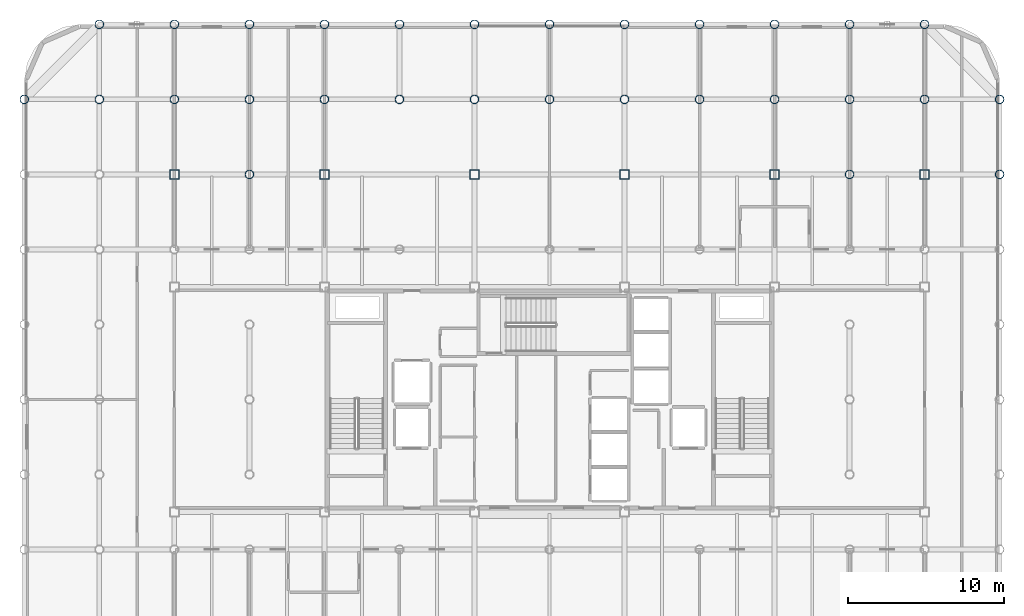
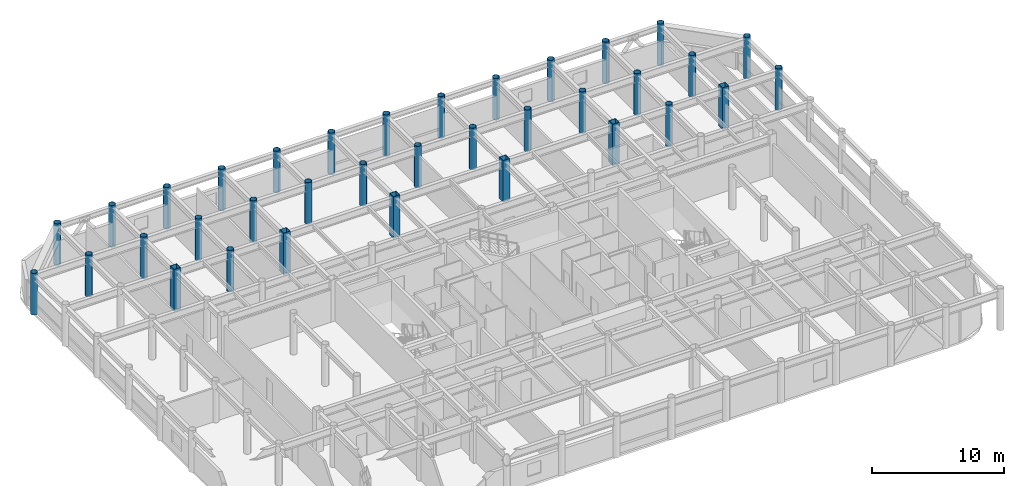
# One storey, part 2 of 22: 35 columns.
"""IFC4 building model written with IfcOpenShell, lengths in metres."""

from ifc_helpers import new_model, si_unit, direction, frame, origin, origin_2d, place, context, subcontext, project, spatial, hollow_rectangle, hollow_circle, extrude, material, material_profile, profile_set, type_object, element, save


model = new_model("IFC4")

# Units and contexts
model_context = context("Model", 3, precision=1e-05, world=origin(), true_north=direction((0.0, 1.0)))
body_context = subcontext(model_context, "Body", "Model", "MODEL_VIEW")
ifc_project = project(units=[si_unit("LENGTHUNIT", "METRE"), si_unit("AREAUNIT", "SQUARE_METRE"), si_unit("VOLUMEUNIT", "CUBIC_METRE"), si_unit("PLANEANGLEUNIT", "RADIAN"), si_unit("MASSUNIT", "GRAM", prefix="KILO")], contexts=[model_context])

# Site, building, storey
site_placement = place(None, origin())
site = spatial("IfcSite", under=ifc_project, at=site_placement, CompositionType="ELEMENT")
building_placement = place(site_placement, origin())
building = spatial("IfcBuilding", under=site, at=building_placement, Name="Kallvorn Hotel Tower", CompositionType="ELEMENT")
storey_placement = place(building_placement, frame((0.0, 0.0, 260.800048828125)))
storey = spatial("IfcBuildingStorey", under=building, at=storey_placement, Name="L65", CompositionType="ELEMENT", Elevation=260.800048828125)

# Columns
ifc_material_1 = material(Name="Structural steel S355J2H", Category="steel")
ifc_material_profile_1 = material_profile(ifc_material_1, hollow_circle(Radius=0.279541015625, WallThickness=0.02490234375, at=origin_2d()), Name="CHS 559x25")
ifc_profile_set_1 = profile_set([ifc_material_profile_1], Name="Structural steel S355J2H")
column_type_1 = type_object("IfcColumnType", Name="COL_CHS_559", PredefinedType="COLUMN", material=ifc_profile_set_1)
for number, where, z_axis, x_axis, name in (
    (1, (-33.60009765625, 19.199951171875, 0.0), (0.0, 0.0, 1.0), (1.0, 0.0, 0.0), "L65 Exoskeleton Column EC08"),
    (2, (-28.800048828125, 19.199951171875, 0.0), (0.0, 0.0, 1.0), (1.0, 0.0, 0.0), "L65 Exoskeleton Column EC17"),
    (3, (-28.800048828125, 24.0, 0.0), (0.0, 0.0, 1.0), (1.0, 0.0, 0.0), "L65 Exoskeleton Column EC18"),
    (4, (-24.0, 19.199951171875, 0.0), (0.0, 0.0, 1.0), (1.0, 0.0, 0.0), "L65 Exoskeleton Column EC22"),
    (5, (-24.0, 24.0, 0.0), (0.0, 0.0, 1.0), (1.0, 0.0, 0.0), "L65 Exoskeleton Column EC23"),
    (6, (-19.199951171875, 14.39990234375, 0.0), (0.0, 0.0, 1.0), (1.0, 0.0, 0.0), "L65 Exoskeleton Column EC31"),
    (7, (-19.199951171875, 19.199951171875, 0.0), (0.0, 0.0, 1.0), (1.0, 0.0, 0.0), "L65 Exoskeleton Column EC32"),
    (8, (-19.199951171875, 24.0, 0.0), (0.0, 0.0, 1.0), (1.0, 0.0, 0.0), "L65 Exoskeleton Column EC33"),
    (9, (-14.39990234375, 19.199951171875, 0.0), (0.0, 0.0, 1.0), (1.0, 0.0, 0.0), "L65 Exoskeleton Column EC35"),
    (10, (-14.39990234375, 24.0, 0.0), (0.0, 0.0, 1.0), (1.0, 0.0, 0.0), "L65 Exoskeleton Column EC36"),
    (11, (-9.60009765625, 19.199951171875, 0.0), (0.0, 0.0, 1.0), (1.0, 0.0, 0.0), "L65 Exoskeleton Column EC40"),
    (12, (-9.60009765625, 24.0, 0.0), (0.0, 0.0, 1.0), (1.0, 0.0, 0.0), "L65 Exoskeleton Column EC41"),
    (13, (-4.800048828125, 19.199951171875, 0.0), (0.0, 0.0, 1.0), (1.0, 0.0, 0.0), "L65 Exoskeleton Column EC43"),
    (14, (-4.800048828125, 24.0, 0.0), (0.0, 0.0, 1.0), (1.0, 0.0, 0.0), "L65 Exoskeleton Column EC44"),
    (15, (0.0, 19.199951171875, 0.0), (0.0, 0.0, 1.0), (1.0, 0.0, 0.0), "L65 Exoskeleton Column EC48"),
    (16, (0.0, 24.0, 0.0), (0.0, 0.0, 1.0), (1.0, 0.0, 0.0), "L65 Exoskeleton Column EC49"),
    (17, (4.800048828125, 19.199951171875, 0.0), (0.0, 0.0, 1.0), (1.0, 0.0, 0.0), "L65 Exoskeleton Column EC51"),
    (18, (4.800048828125, 24.0, 0.0), (0.0, 0.0, 1.0), (1.0, 0.0, 0.0), "L65 Exoskeleton Column EC52"),
    (19, (9.60009765625, 19.199951171875, 0.0), (0.0, 0.0, 1.0), (1.0, 0.0, 0.0), "L65 Exoskeleton Column EC56"),
    (20, (9.60009765625, 24.0, 0.0), (0.0, 0.0, 1.0), (1.0, 0.0, 0.0), "L65 Exoskeleton Column EC57"),
    (21, (14.39990234375, 19.199951171875, 0.0), (0.0, 0.0, 1.0), (1.0, 0.0, 0.0), "L65 Exoskeleton Column EC59"),
    (22, (14.39990234375, 24.0, 0.0), (0.0, 0.0, 1.0), (1.0, 0.0, 0.0), "L65 Exoskeleton Column EC60"),
    (23, (19.199951171875, 14.39990234375, 0.0), (0.0, 0.0, 1.0), (1.0, 0.0, 0.0), "L65 Exoskeleton Column EC68"),
    (24, (19.199951171875, 19.199951171875, 0.0), (0.0, 0.0, 1.0), (1.0, 0.0, 0.0), "L65 Exoskeleton Column EC69"),
    (25, (19.199951171875, 24.0, 0.0), (0.0, 0.0, 1.0), (1.0, 0.0, 0.0), "L65 Exoskeleton Column EC70"),
    (26, (24.0, 19.199951171875, 0.0), (0.0, 0.0, 1.0), (1.0, 0.0, 0.0), "L65 Exoskeleton Column EC74"),
    (27, (24.0, 24.0, 0.0), (0.0, 0.0, 1.0), (1.0, 0.0, 0.0), "L65 Exoskeleton Column EC75"),
    (28, (28.800048828125, 14.39990234375, 0.0), (0.0, 0.0, 1.0), (1.0, 0.0, 0.0), "L65 Exoskeleton Column EC83"),
    (29, (28.800048828125, 19.199951171875, 0.0), (0.0, 0.0, 1.0), (1.0, 0.0, 0.0), "L65 Exoskeleton Column EC84"),
):
    element("IfcColumn", number, at=place(storey_placement, frame(where, z_axis=z_axis, x_axis=x_axis)), inside=storey, type_object=column_type_1, Name=name, PredefinedType="COLUMN", context=body_context, shape_type="SweptSolid", body=[
        extrude(hollow_circle(Radius=0.279541015625, WallThickness=0.02490234375, at=origin_2d()), origin(), (0.0, 0.0, 1.0), 3.849853515625),
    ])
ifc_material_2 = material(Name="Structural steel S355J2H", Category="steel")
ifc_material_profile_2 = material_profile(ifc_material_2, hollow_rectangle(XDim=0.60009765625, YDim=0.60009765625, WallThickness=0.028076171875, at=origin_2d()), Name="RHS 600x600x28")
ifc_profile_set_2 = profile_set([ifc_material_profile_2], Name="Structural steel S355J2H")
column_type_2 = type_object("IfcColumnType", Name="COL_RHS_600", PredefinedType="COLUMN", material=ifc_profile_set_2)
for number, where, z_axis, x_axis, name in (
    (30, (-24.0, 14.39990234375, 0.0), (0.0, 0.0, 1.0), (1.0, 0.0, 0.0), "L65 Inner Column IC04"),
    (31, (-14.39990234375, 14.39990234375, 0.0), (0.0, 0.0, 1.0), (1.0, 0.0, 0.0), "L65 Inner Column IC08"),
    (32, (-4.800048828125, 14.39990234375, 0.0), (0.0, 0.0, 1.0), (1.0, 0.0, 0.0), "L65 Inner Column IC12"),
    (33, (4.800048828125, 14.39990234375, 0.0), (0.0, 0.0, 1.0), (1.0, 0.0, 0.0), "L65 Inner Column IC16"),
    (34, (14.39990234375, 14.39990234375, 0.0), (0.0, 0.0, 1.0), (1.0, 0.0, 0.0), "L65 Inner Column IC20"),
    (35, (24.0, 14.39990234375, 0.0), (0.0, 0.0, 1.0), (1.0, 0.0, 0.0), "L65 Inner Column IC24"),
):
    element("IfcColumn", number, at=place(storey_placement, frame(where, z_axis=z_axis, x_axis=x_axis)), inside=storey, type_object=column_type_2, Name=name, PredefinedType="COLUMN", context=body_context, shape_type="SweptSolid", body=[
        extrude(hollow_rectangle(XDim=0.60009765625, YDim=0.60009765625, WallThickness=0.028076171875, at=origin_2d()), origin(), (0.0, 0.0, 1.0), 3.849853515625),
    ])

save(model, "model.ifc")
